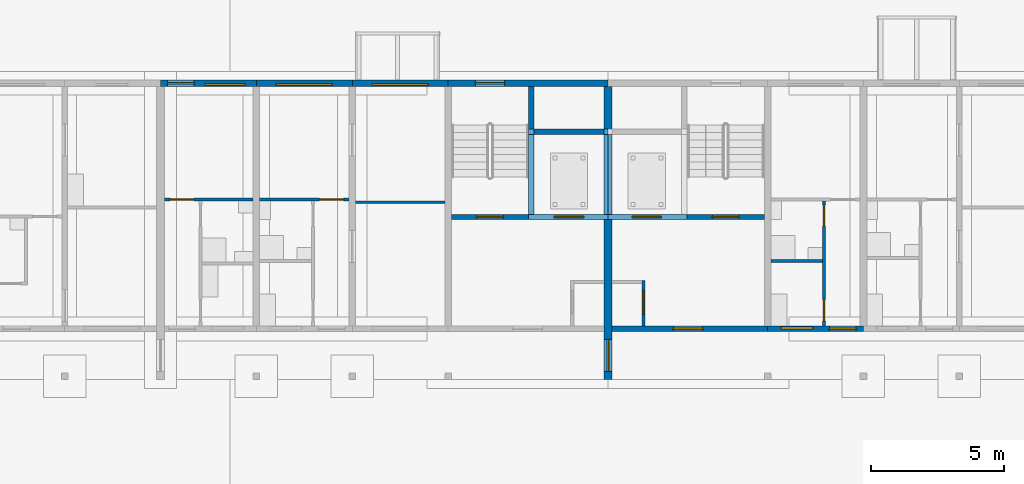
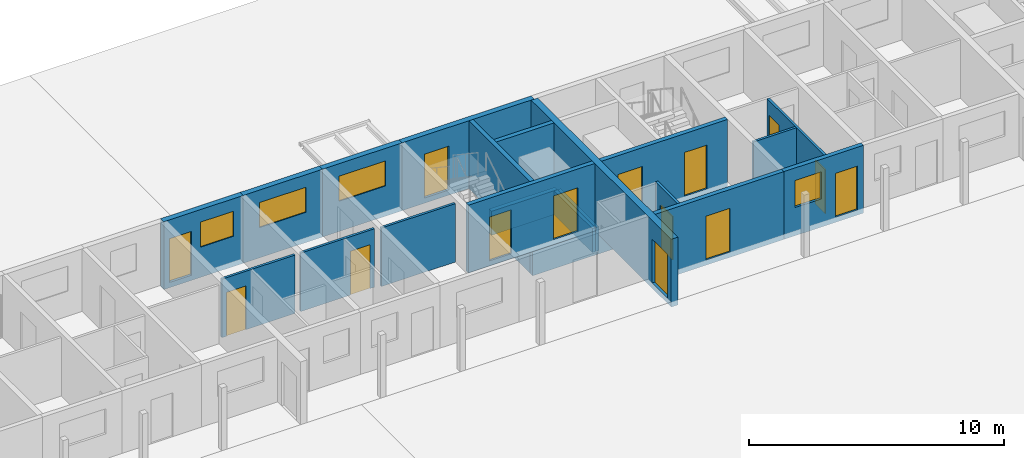
# One storey, part 51 of 112: 23 walls, 14 doors, 4 windows, 18 openings.
"""IFC4 building model written with IfcOpenShell, lengths in metres."""

from ifc_helpers import new_model, si_unit, direction, frame, frame_2d, origin, place, context, subcontext, project, spatial, rectangle, extrude, material, layer, layer_set, type_object, element, fill, save


model = new_model("IFC4")

# Units and contexts
model_context = context("Model", 3, precision=1e-05, world=origin(), true_north=direction((0.0, 1.0)))
body_context = subcontext(model_context, "Body", "Model", "MODEL_VIEW")
ifc_project = project(units=[si_unit("LENGTHUNIT", "METRE"), si_unit("AREAUNIT", "SQUARE_METRE"), si_unit("VOLUMEUNIT", "CUBIC_METRE"), si_unit("PLANEANGLEUNIT", "RADIAN"), si_unit("MASSUNIT", "GRAM", prefix="KILO")], contexts=[model_context])

# Site, building, storey
site_placement = place(None, origin())
site = spatial("IfcSite", under=ifc_project, at=site_placement, CompositionType="ELEMENT")
building_placement = place(site_placement, origin())
building = spatial("IfcBuilding", under=site, at=building_placement, Name="Ridgestep Commons", CompositionType="ELEMENT")
storey_placement = place(building_placement, origin())
storey = spatial("IfcBuildingStorey", under=building, at=storey_placement, Name="L00", CompositionType="ELEMENT", Elevation=0.0)

# Wall, opening, door
ifc_material_1 = material(Name="Concrete C30/37", Category="concrete")
ifc_layer_1 = layer(ifc_material_1, 0.199951171875)
ifc_layer_set_1 = layer_set([ifc_layer_1], Name="Core south wall 200")
wall_type_1 = type_object("IfcWallType", Name="Core south wall 200", PredefinedType="SHEAR", material=ifc_layer_set_1)
wall_1_placement = place(storey_placement, frame((79.35009765625, 67.89990234375, -0.25), z_axis=(0.0, 0.0, 1.0), x_axis=(1.0, 0.0, 0.0)))
wall_1 = element("IfcWall", 1, at=wall_1_placement, inside=storey, type_object=wall_type_1, Name="Core south wall B5C L00", PredefinedType="SHEAR", context=body_context, shape_type="SweptSolid", body=[
    extrude(rectangle(XDim=5.849853515625, YDim=0.199951171875, at=frame_2d((2.9248046875, 0.0))), origin(), (0.0, 0.0, 1.0), 3.25),
])
opening_1_placement = place(wall_1_placement, frame((2.3125, 0.0, 0.25)))
opening_1 = element("IfcOpeningElement", 2, at=opening_1_placement, cuts=wall_1, Name="Opening B5C/00/1", PredefinedType="OPENING", context=body_context, shape_type="SweptSolid", body=[
    extrude(rectangle(XDim=1.10009765625, YDim=2.10009765625, at=frame_2d((0.550048828125, 1.050048828125))), frame((0.0, 0.10986328125, 0.0), z_axis=(0.0, -1.0, 0.0), x_axis=(1.0, 0.0, 0.0)), (0.0, 0.0, 1.0), 0.219970703125),
])
ifc_material_2 = material(Name="Steel fire door", Category="steel")
door_type_1 = type_object("IfcDoorType", Name="Lobby door 1100 x 2100 FD60", OperationType="NOTDEFINED", PredefinedType="DOOR", material=ifc_material_2)
door_1_placement = place(opening_1_placement, origin())
door_1 = element("IfcDoor", 3, at=door_1_placement, inside=storey, type_object=door_type_1, Name="Lobby door B5C/00/1", OperationType="SINGLE_SWING_LEFT", OverallHeight=2.10009765625, OverallWidth=1.10009765625, PredefinedType="DOOR", context=body_context, shape_type="SweptSolid", body=[
    extrude(rectangle(XDim=1.10009765625, YDim=2.10009765625, at=frame_2d((0.550048828125, 1.050048828125))), frame((0.0, 0.02490234375, 0.0), z_axis=(0.0, -1.0, 0.0), x_axis=(1.0, 0.0, 0.0)), (0.0, 0.0, 1.0), 0.050048828125),
])
fill(opening_1, door_1)

ifc_material_3 = material(Name="Concrete C30/37", Category="concrete")
ifc_layer_2 = layer(ifc_material_3, 0.1201171875)
ifc_layer_set_2 = layer_set([ifc_layer_2], Name="Core wall 120")
wall_type_2 = type_object("IfcWallType", Name="Core wall 120", PredefinedType="SHEAR", material=ifc_layer_set_2)
wall_2_placement = place(storey_placement, frame((80.5400390625, 68.0, -0.25), z_axis=(0.0, 0.0, 1.0), x_axis=(0.0, 1.0, 0.0)))
wall_2 = element("IfcWall", 4, at=wall_2_placement, inside=storey, type_object=wall_type_2, Name="Core riser w wall B5C L00", PredefinedType="SHEAR", context=body_context, shape_type="SweptSolid", body=[
    extrude(rectangle(XDim=1.719970703125, YDim=0.1201171875, at=frame_2d((0.85986328125, 0.0))), origin(), (0.0, 0.0, 1.0), 3.25),
])
opening_2_placement = place(wall_2_placement, frame((0.449951171875, 0.0, 0.25)))
opening_2 = element("IfcOpeningElement", 5, at=opening_2_placement, cuts=wall_2, Name="Opening B5C/00/4", PredefinedType="OPENING", context=body_context, shape_type="SweptSolid", body=[
    extrude(rectangle(XDim=0.89990234375, YDim=2.10009765625, at=frame_2d((0.449951171875, 1.050048828125))), frame((0.0, 0.070068359375, 0.0), z_axis=(0.0, -1.0, 0.0), x_axis=(1.0, 0.0, 0.0)), (0.0, 0.0, 1.0), 0.14013671875),
])
ifc_material_4 = material(Name="Steel fire door", Category="steel")
door_type_2 = type_object("IfcDoorType", Name="Riser door 900 x 2100 FD60", OperationType="NOTDEFINED", PredefinedType="DOOR", material=ifc_material_4)
door_2_placement = place(opening_2_placement, origin())
door_2 = element("IfcDoor", 6, at=door_2_placement, inside=storey, type_object=door_type_2, Name="Riser door B5C/00/4", OperationType="SINGLE_SWING_RIGHT", OverallHeight=2.10009765625, OverallWidth=0.89990234375, PredefinedType="DOOR", context=body_context, shape_type="SweptSolid", body=[
    extrude(rectangle(XDim=0.89990234375, YDim=2.10009765625, at=frame_2d((0.449951171875, 1.050048828125))), frame((0.0, 0.02490234375, 0.0), z_axis=(0.0, -1.0, 0.0), x_axis=(1.0, 0.0, 0.0)), (0.0, 0.0, 1.0), 0.050048828125),
])
fill(opening_2, door_2)

# Walls
ifc_material_5 = material(Name="Concrete C30/37", Category="concrete")
ifc_layer_3 = layer(ifc_material_5, 0.14990234375)
ifc_layer_set_3 = layer_set([ifc_layer_3], Name="Core wall 150")
wall_type_3 = type_object("IfcWallType", Name="Core wall 150", PredefinedType="SHEAR", material=ifc_layer_set_3)
for number, where, z_axis, x_axis, name in (
    (7, (79.125, 72.199951171875, -1.39990234375), (0.0, 0.0, 1.0), (0.0, 1.0, 0.0), "Lift pit wall B4C"),
    (8, (79.27490234375, 72.199951171875, -1.39990234375), (0.0, 0.0, 1.0), (0.0, 1.0, 0.0), "Lift pit wall B5C"),
):
    element("IfcWall", number, at=place(storey_placement, frame(where, z_axis=z_axis, x_axis=x_axis)), inside=storey, type_object=wall_type_3, Name=name, PredefinedType="SHEAR", context=body_context, shape_type="SweptSolid", body=[
        extrude(rectangle(XDim=3.0, YDim=0.14990234375, at=frame_2d((1.5, 0.0))), origin(), (0.0, 0.0, 1.0), 1.14990234375),
    ])

# Wall, openings, doors
ifc_material_6 = material(Name="Concrete C30/37", Category="concrete")
ifc_layer_4 = layer(ifc_material_6, 0.199951171875)
ifc_layer_set_4 = layer_set([ifc_layer_4], Name="Core wall 200")
wall_type_4 = type_object("IfcWallType", Name="Core wall 200", PredefinedType="SHEAR", material=ifc_layer_set_4)
wall_3_placement = place(storey_placement, frame((73.324951171875, 72.10009765625, -0.25), z_axis=(0.0, 0.0, 1.0), x_axis=(1.0, 0.0, 0.0)))
wall_3 = element("IfcWall", 9, at=wall_3_placement, inside=storey, type_object=wall_type_4, Name="Core lobby wall B4C L00", PredefinedType="SHEAR", context=body_context, shape_type="SweptSolid", body=[
    extrude(rectangle(XDim=5.72509765625, YDim=0.199951171875, at=frame_2d((2.862548828125, 0.0))), origin(), (0.0, 0.0, 1.0), 3.25),
])
opening_3_placement = place(wall_3_placement, frame((0.949951171875, 0.0, 0.25)))
opening_3 = element("IfcOpeningElement", 10, at=opening_3_placement, cuts=wall_3, Name="Opening B4C/00/2", PredefinedType="OPENING", context=body_context, shape_type="SweptSolid", body=[
    extrude(rectangle(XDim=1.0, YDim=2.10009765625, at=frame_2d((0.5, 1.050048828125))), frame((0.0, 0.10986328125, 0.0), z_axis=(0.0, -1.0, 0.0), x_axis=(1.0, 0.0, 0.0)), (0.0, 0.0, 1.0), 0.219970703125),
])
opening_4_placement = place(wall_3_placement, frame((3.862548828125, 0.0, 0.25)))
opening_4 = element("IfcOpeningElement", 11, at=opening_4_placement, cuts=wall_3, Name="Opening B4C/00/3", PredefinedType="OPENING", context=body_context, shape_type="SweptSolid", body=[
    extrude(rectangle(XDim=1.10009765625, YDim=2.10009765625, at=frame_2d((0.550048828125, 1.050048828125))), frame((0.0, 0.10986328125, 0.0), z_axis=(0.0, -1.0, 0.0), x_axis=(1.0, 0.0, 0.0)), (0.0, 0.0, 1.0), 0.219970703125),
])
ifc_material_7 = material(Name="Stainless steel", Category="steel")
door_type_3 = type_object("IfcDoorType", Name="Lift landing door 1100 x 2100 FD60", OperationType="DOUBLE_DOOR_SLIDING", PredefinedType="DOOR", material=ifc_material_7)
door_3_placement = place(opening_4_placement, origin())
door_3 = element("IfcDoor", 12, at=door_3_placement, inside=storey, type_object=door_type_3, Name="Landing door LD B4C L00", OperationType="DOUBLE_DOOR_SLIDING", OverallHeight=2.10009765625, OverallWidth=1.10009765625, PredefinedType="DOOR", context=body_context, shape_type="SweptSolid", body=[
    extrude(rectangle(XDim=1.10009765625, YDim=2.10009765625, at=frame_2d((0.550048828125, 1.050048828125))), frame((0.0, 0.02490234375, 0.0), z_axis=(0.0, -1.0, 0.0), x_axis=(1.0, 0.0, 0.0)), (0.0, 0.0, 1.0), 0.050048828125),
])
fill(opening_4, door_3)
ifc_material_8 = material(Name="Steel fire door", Category="steel")
door_type_4 = type_object("IfcDoorType", Name="Stair door 1000 x 2100 FD60", OperationType="NOTDEFINED", PredefinedType="DOOR", material=ifc_material_8)
door_4_placement = place(opening_3_placement, origin())
door_4 = element("IfcDoor", 13, at=door_4_placement, inside=storey, type_object=door_type_4, Name="Stair door B4C/00/2", OperationType="SINGLE_SWING_RIGHT", OverallHeight=2.10009765625, OverallWidth=1.0, PredefinedType="DOOR", context=body_context, shape_type="SweptSolid", body=[
    extrude(rectangle(XDim=1.0, YDim=2.10009765625, at=frame_2d((0.5, 1.050048828125))), frame((0.0, 0.02490234375, 0.0), z_axis=(0.0, -1.0, 0.0), x_axis=(1.0, 0.0, 0.0)), (0.0, 0.0, 1.0), 0.050048828125),
])
fill(opening_3, door_4)

# Walls
wall_4_placement = place(storey_placement, frame((76.324951171875, 72.199951171875, -0.25), z_axis=(0.0, 0.0, 1.0), x_axis=(0.0, 1.0, 0.0)))
element("IfcWall", 14, at=wall_4_placement, inside=storey, type_object=wall_type_4, Name="Core stair wall B4C L00", PredefinedType="SHEAR", context=body_context, shape_type="SweptSolid", body=[
    extrude(rectangle(XDim=4.800048828125, YDim=0.199951171875, at=frame_2d((2.39990234375, 0.0))), origin(), (0.0, 0.0, 1.0), 3.25),
])
wall_5_placement = place(storey_placement, frame((76.425048828125, 75.300048828125, -0.25), z_axis=(0.0, 0.0, 1.0), x_axis=(1.0, 0.0, 0.0)))
element("IfcWall", 15, at=wall_5_placement, inside=storey, type_object=wall_type_4, Name="Core duct wall B4C L00", PredefinedType="SHEAR", context=body_context, shape_type="SweptSolid", body=[
    extrude(rectangle(XDim=2.625, YDim=0.199951171875, at=frame_2d((1.3125, 0.0))), origin(), (0.0, 0.0, 1.0), 3.25),
])

# Wall, openings, doors
wall_6_placement = place(storey_placement, frame((79.35009765625, 72.10009765625, -0.25), z_axis=(0.0, 0.0, 1.0), x_axis=(1.0, 0.0, 0.0)))
wall_6 = element("IfcWall", 16, at=wall_6_placement, inside=storey, type_object=wall_type_4, Name="Core lobby wall B5C L00", PredefinedType="SHEAR", context=body_context, shape_type="SweptSolid", body=[
    extrude(rectangle(XDim=5.724853515625, YDim=0.199951171875, at=frame_2d((2.8623046875, 0.0))), origin(), (0.0, 0.0, 1.0), 3.25),
])
opening_5_placement = place(wall_6_placement, frame((3.77490234375, 0.0, 0.25)))
opening_5 = element("IfcOpeningElement", 17, at=opening_5_placement, cuts=wall_6, Name="Opening B5C/00/2", PredefinedType="OPENING", context=body_context, shape_type="SweptSolid", body=[
    extrude(rectangle(XDim=1.0, YDim=2.10009765625, at=frame_2d((0.5, 1.050048828125))), frame((0.0, 0.10986328125, 0.0), z_axis=(0.0, -1.0, 0.0), x_axis=(1.0, 0.0, 0.0)), (0.0, 0.0, 1.0), 0.219970703125),
])
opening_6_placement = place(wall_6_placement, frame((0.762451171875, 0.0, 0.25)))
opening_6 = element("IfcOpeningElement", 18, at=opening_6_placement, cuts=wall_6, Name="Opening B5C/00/3", PredefinedType="OPENING", context=body_context, shape_type="SweptSolid", body=[
    extrude(rectangle(XDim=1.10009765625, YDim=2.10009765625, at=frame_2d((0.550048828125, 1.050048828125))), frame((0.0, 0.10986328125, 0.0), z_axis=(0.0, -1.0, 0.0), x_axis=(1.0, 0.0, 0.0)), (0.0, 0.0, 1.0), 0.219970703125),
])
door_5_placement = place(opening_6_placement, origin())
door_5 = element("IfcDoor", 19, at=door_5_placement, inside=storey, type_object=door_type_3, Name="Landing door LD B5C L00", OperationType="DOUBLE_DOOR_SLIDING", OverallHeight=2.10009765625, OverallWidth=1.10009765625, PredefinedType="DOOR", context=body_context, shape_type="SweptSolid", body=[
    extrude(rectangle(XDim=1.10009765625, YDim=2.10009765625, at=frame_2d((0.550048828125, 1.050048828125))), frame((0.0, 0.02490234375, 0.0), z_axis=(0.0, -1.0, 0.0), x_axis=(1.0, 0.0, 0.0)), (0.0, 0.0, 1.0), 0.050048828125),
])
fill(opening_6, door_5)
door_6_placement = place(opening_5_placement, origin())
door_6 = element("IfcDoor", 20, at=door_6_placement, inside=storey, type_object=door_type_4, Name="Stair door B5C/00/2", OperationType="SINGLE_SWING_RIGHT", OverallHeight=2.10009765625, OverallWidth=1.0, PredefinedType="DOOR", context=body_context, shape_type="SweptSolid", body=[
    extrude(rectangle(XDim=1.0, YDim=2.10009765625, at=frame_2d((0.5, 1.050048828125))), frame((0.0, 0.02490234375, 0.0), z_axis=(0.0, -1.0, 0.0), x_axis=(1.0, 0.0, 0.0)), (0.0, 0.0, 1.0), 0.050048828125),
])
fill(opening_5, door_6)

# Walls
for number, where, z_axis, x_axis, name in (
    (21, (76.22509765625, 72.10009765625, -1.39990234375), (0.0, 0.0, 1.0), (1.0, 0.0, 0.0), "Lift pit wall B4C"),
    (22, (76.22509765625, 75.300048828125, -1.39990234375), (0.0, 0.0, 1.0), (1.0, 0.0, 0.0), "Lift pit wall B4C"),
):
    element("IfcWall", number, at=place(storey_placement, frame(where, z_axis=z_axis, x_axis=x_axis)), inside=storey, type_object=wall_type_4, Name=name, PredefinedType="SHEAR", context=body_context, shape_type="SweptSolid", body=[
        extrude(rectangle(XDim=2.974853515625, YDim=0.199951171875, at=frame_2d((1.4873046875, 0.0))), origin(), (0.0, 0.0, 1.0), 1.14990234375),
    ])
wall_7_placement = place(storey_placement, frame((76.324951171875, 72.199951171875, -1.39990234375), z_axis=(0.0, 0.0, 1.0), x_axis=(0.0, 1.0, 0.0)))
element("IfcWall", 23, at=wall_7_placement, inside=storey, type_object=wall_type_4, Name="Lift pit wall B4C", PredefinedType="SHEAR", context=body_context, shape_type="SweptSolid", body=[
    extrude(rectangle(XDim=3.0, YDim=0.199951171875, at=frame_2d((1.5, 0.0))), origin(), (0.0, 0.0, 1.0), 1.14990234375),
])
wall_8_placement = place(storey_placement, frame((79.199951171875, 72.10009765625, -1.39990234375), z_axis=(0.0, 0.0, 1.0), x_axis=(1.0, 0.0, 0.0)))
element("IfcWall", 24, at=wall_8_placement, inside=storey, type_object=wall_type_4, Name="Lift pit wall B5C", PredefinedType="SHEAR", context=body_context, shape_type="SweptSolid", body=[
    extrude(rectangle(XDim=2.97509765625, YDim=0.199951171875, at=frame_2d((1.487548828125, 0.0))), origin(), (0.0, 0.0, 1.0), 1.14990234375),
])

# Wall, opening, door
ifc_material_9 = material(Name="Precast concrete C40/50", Category="concrete")
ifc_layer_5 = layer(ifc_material_9, 0.300048828125)
ifc_layer_set_5 = layer_set([ifc_layer_5], Name="Division wall 300")
wall_type_5 = type_object("IfcWallType", Name="Division wall 300", PredefinedType="SHEAR", material=ifc_layer_set_5)
wall_9_placement = place(storey_placement, frame((79.199951171875, 66.0, -0.25), z_axis=(0.0, 0.0, 1.0), x_axis=(0.0, 1.0, 0.0)))
wall_9 = element("IfcWall", 25, at=wall_9_placement, inside=storey, type_object=wall_type_5, Name="Cross wall B-00-0792", PredefinedType="SHEAR", context=body_context, shape_type="SweptSolid", body=[
    extrude(rectangle(XDim=11.0, YDim=0.300048828125, at=frame_2d((5.5, 0.0))), origin(), (0.0, 0.0, 1.0), 3.25),
])
opening_7_placement = place(wall_9_placement, frame((0.300048828125, 0.0, 0.25)))
opening_7 = element("IfcOpeningElement", 26, at=opening_7_placement, cuts=wall_9, Name="Opening B/00/G0792", PredefinedType="OPENING", context=body_context, shape_type="SweptSolid", body=[
    extrude(rectangle(XDim=1.199951171875, YDim=2.10009765625, at=frame_2d((0.60009765625, 1.050048828125))), frame((0.0, 0.159912109375, 0.0), z_axis=(0.0, -1.0, 0.0), x_axis=(1.0, 0.0, 0.0)), (0.0, 0.0, 1.0), 0.320068359375),
])
ifc_material_10 = material(Name="Steel fire door", Category="steel")
door_type_5 = type_object("IfcDoorType", Name="Division fire door 1200 x 2100 EI 240", OperationType="DOUBLE_DOOR_SINGLE_SWING", PredefinedType="DOOR", material=ifc_material_10)
door_7_placement = place(opening_7_placement, origin())
door_7 = element("IfcDoor", 27, at=door_7_placement, inside=storey, type_object=door_type_5, Name="Division fire door B/00/G0792", OperationType="DOUBLE_DOOR_SINGLE_SWING", OverallHeight=2.10009765625, OverallWidth=1.199951171875, PredefinedType="DOOR", context=body_context, shape_type="SweptSolid", body=[
    extrude(rectangle(XDim=1.199951171875, YDim=2.10009765625, at=frame_2d((0.60009765625, 1.050048828125))), frame((0.0, 0.02490234375, 0.0), z_axis=(0.0, -1.0, 0.0), x_axis=(1.0, 0.0, 0.0)), (0.0, 0.0, 1.0), 0.050048828125),
])
fill(opening_7, door_7)

# Wall, openings, door, window
ifc_material_11 = material(Name="Precast concrete C40/50", Category="concrete")
ifc_layer_6 = layer(ifc_material_11, 0.25)
ifc_layer_set_6 = layer_set([ifc_layer_6], Name="North facade panel 250")
wall_type_6 = type_object("IfcWallType", Name="North facade panel 250", PredefinedType="SOLIDWALL", material=ifc_layer_set_6)
wall_10_placement = place(storey_placement, frame((62.39990234375, 77.125, -0.25), z_axis=(0.0, 0.0, 1.0), x_axis=(1.0, 0.0, 0.0)))
wall_10 = element("IfcWall", 28, at=wall_10_placement, inside=storey, type_object=wall_type_6, Name="North panel B4T1 L00", PredefinedType="SOLIDWALL", context=body_context, shape_type="SweptSolid", body=[
    extrude(rectangle(XDim=3.60009765625, YDim=0.25, at=frame_2d((1.800048828125, 0.0))), origin(), (0.0, 0.0, 1.0), 3.25),
])
opening_8_placement = place(wall_10_placement, frame((1.6689453125, 0.0, 1.449951171875)))
opening_8 = element("IfcOpeningElement", 29, at=opening_8_placement, cuts=wall_10, Name="Opening W13", PredefinedType="OPENING", context=body_context, shape_type="SweptSolid", body=[
    extrude(rectangle(XDim=1.5, YDim=1.199951171875, at=frame_2d((0.75, 0.60009765625))), frame((0.0, 0.135009765625, 0.0), z_axis=(0.0, -1.0, 0.0), x_axis=(1.0, 0.0, 0.0)), (0.0, 0.0, 1.0), 0.27001953125),
])
opening_9_placement = place(wall_10_placement, frame((0.262939453125, 0.0, 0.25)))
opening_9 = element("IfcOpeningElement", 30, at=opening_9_placement, cuts=wall_10, Name="Opening B4-00a/5", PredefinedType="OPENING", context=body_context, shape_type="SweptSolid", body=[
    extrude(rectangle(XDim=1.0, YDim=2.10009765625, at=frame_2d((0.5, 1.050048828125))), frame((0.0, 0.135009765625, 0.0), z_axis=(0.0, -1.0, 0.0), x_axis=(1.0, 0.0, 0.0)), (0.0, 0.0, 1.0), 0.27001953125),
])
ifc_material_12 = material(Name="Aluminium and glass", Category="aluminium")
door_type_6 = type_object("IfcDoorType", Name="Balcony door 1000 x 2100", OperationType="NOTDEFINED", PredefinedType="DOOR", material=ifc_material_12)
door_8_placement = place(opening_9_placement, origin())
door_8 = element("IfcDoor", 31, at=door_8_placement, inside=storey, type_object=door_type_6, Name="Balcony door B4-00a/5", OperationType="SINGLE_SWING_RIGHT", OverallHeight=2.10009765625, OverallWidth=1.0, PredefinedType="DOOR", context=body_context, shape_type="SweptSolid", body=[
    extrude(rectangle(XDim=1.0, YDim=2.10009765625, at=frame_2d((0.5, 1.050048828125))), frame((0.0, 0.02490234375, 0.0), z_axis=(0.0, -1.0, 0.0), x_axis=(1.0, 0.0, 0.0)), (0.0, 0.0, 1.0), 0.050048828125),
])
fill(opening_9, door_8)
ifc_material_13 = material(Name="Aluminium 6063-T6 and glass", Category="aluminium")
window_type_1 = type_object("IfcWindowType", Name="Flat window 1500 x 1200", PartitioningType="DOUBLE_PANEL_VERTICAL", PredefinedType="WINDOW", material=ifc_material_13)
window_1_placement = place(opening_8_placement, origin())
window_1 = element("IfcWindow", 32, at=window_1_placement, inside=storey, type_object=window_type_1, Name="Window B4-00a 2", OverallHeight=1.199951171875, OverallWidth=1.5, PartitioningType="SINGLE_PANEL", PredefinedType="WINDOW", context=body_context, shape_type="SweptSolid", body=[
    extrude(rectangle(XDim=1.5, YDim=1.199951171875, at=frame_2d((0.75, 0.60009765625))), frame((0.0, -0.02490234375, 0.0), z_axis=(0.0, -1.0, 0.0), x_axis=(1.0, 0.0, 0.0)), (0.0, 0.0, 1.0), 0.06005859375),
])
fill(opening_8, window_1)

# Wall, opening, window
wall_11_placement = place(storey_placement, frame((66.0, 77.125, -0.25), z_axis=(0.0, 0.0, 1.0), x_axis=(1.0, 0.0, 0.0)))
wall_11 = element("IfcWall", 33, at=wall_11_placement, inside=storey, type_object=wall_type_6, Name="North panel B4T2 L00", PredefinedType="SOLIDWALL", context=body_context, shape_type="SweptSolid", body=[
    extrude(rectangle(XDim=3.60009765625, YDim=0.25, at=frame_2d((1.800048828125, 0.0))), origin(), (0.0, 0.0, 1.0), 3.25),
])
opening_10_placement = place(wall_11_placement, frame((0.75, 0.0, 1.449951171875)))
opening_10 = element("IfcOpeningElement", 34, at=opening_10_placement, cuts=wall_11, Name="Opening W22", PredefinedType="OPENING", context=body_context, shape_type="SweptSolid", body=[
    extrude(rectangle(XDim=2.10009765625, YDim=1.199951171875, at=frame_2d((1.050048828125, 0.60009765625))), frame((0.0, 0.135009765625, 0.0), z_axis=(0.0, -1.0, 0.0), x_axis=(1.0, 0.0, 0.0)), (0.0, 0.0, 1.0), 0.27001953125),
])
ifc_material_14 = material(Name="Aluminium 6063-T6 and glass", Category="aluminium")
window_type_2 = type_object("IfcWindowType", Name="Flat window 2100 x 1200", PartitioningType="DOUBLE_PANEL_VERTICAL", PredefinedType="WINDOW", material=ifc_material_14)
window_2_placement = place(opening_10_placement, origin())
window_2 = element("IfcWindow", 35, at=window_2_placement, inside=storey, type_object=window_type_2, Name="Window B4-00b 4", OverallHeight=1.199951171875, OverallWidth=2.10009765625, PartitioningType="SINGLE_PANEL", PredefinedType="WINDOW", context=body_context, shape_type="SweptSolid", body=[
    extrude(rectangle(XDim=2.10009765625, YDim=1.199951171875, at=frame_2d((1.050048828125, 0.60009765625))), frame((0.0, -0.02490234375, 0.0), z_axis=(0.0, -1.0, 0.0), x_axis=(1.0, 0.0, 0.0)), (0.0, 0.0, 1.0), 0.06005859375),
])
fill(opening_10, window_2)

wall_12_placement = place(storey_placement, frame((69.60009765625, 77.125, -0.25), z_axis=(0.0, 0.0, 1.0), x_axis=(1.0, 0.0, 0.0)))
wall_12 = element("IfcWall", 36, at=wall_12_placement, inside=storey, type_object=wall_type_6, Name="North panel B4T3 L00", PredefinedType="SOLIDWALL", context=body_context, shape_type="SweptSolid", body=[
    extrude(rectangle(XDim=3.599853515625, YDim=0.25, at=frame_2d((1.7998046875, 0.0))), origin(), (0.0, 0.0, 1.0), 3.25),
])
opening_11_placement = place(wall_12_placement, frame((0.75, 0.0, 1.449951171875)))
opening_11 = element("IfcOpeningElement", 37, at=opening_11_placement, cuts=wall_12, Name="Opening W22", PredefinedType="OPENING", context=body_context, shape_type="SweptSolid", body=[
    extrude(rectangle(XDim=2.10009765625, YDim=1.199951171875, at=frame_2d((1.050048828125, 0.60009765625))), frame((0.0, 0.135009765625, 0.0), z_axis=(0.0, -1.0, 0.0), x_axis=(1.0, 0.0, 0.0)), (0.0, 0.0, 1.0), 0.27001953125),
])
window_3_placement = place(opening_11_placement, origin())
window_3 = element("IfcWindow", 38, at=window_3_placement, inside=storey, type_object=window_type_2, Name="Window B4-00b 2", OverallHeight=1.199951171875, OverallWidth=2.10009765625, PartitioningType="SINGLE_PANEL", PredefinedType="WINDOW", context=body_context, shape_type="SweptSolid", body=[
    extrude(rectangle(XDim=2.10009765625, YDim=1.199951171875, at=frame_2d((1.050048828125, 0.60009765625))), frame((0.0, -0.02490234375, 0.0), z_axis=(0.0, -1.0, 0.0), x_axis=(1.0, 0.0, 0.0)), (0.0, 0.0, 1.0), 0.06005859375),
])
fill(opening_11, window_3)

# Wall, opening, door
wall_13_placement = place(storey_placement, frame((73.199951171875, 77.125, -0.25), z_axis=(0.0, 0.0, 1.0), x_axis=(1.0, 0.0, 0.0)))
wall_13 = element("IfcWall", 39, at=wall_13_placement, inside=storey, type_object=wall_type_6, Name="North panel B4C L00", PredefinedType="SOLIDWALL", context=body_context, shape_type="SweptSolid", body=[
    extrude(rectangle(XDim=6.0, YDim=0.25, at=frame_2d((3.0, 0.0))), origin(), (0.0, 0.0, 1.0), 3.25),
])
opening_12_placement = place(wall_13_placement, frame((1.02490234375, 0.0, 0.25)))
opening_12 = element("IfcOpeningElement", 40, at=opening_12_placement, cuts=wall_13, Name="Opening B4C/00/5", PredefinedType="OPENING", context=body_context, shape_type="SweptSolid", body=[
    extrude(rectangle(XDim=1.10009765625, YDim=2.10009765625, at=frame_2d((0.550048828125, 1.050048828125))), frame((0.0, 0.135009765625, 0.0), z_axis=(0.0, -1.0, 0.0), x_axis=(1.0, 0.0, 0.0)), (0.0, 0.0, 1.0), 0.27001953125),
])
ifc_material_15 = material(Name="Steel fire door", Category="steel")
door_type_7 = type_object("IfcDoorType", Name="Stair exit door 1100 x 2100 FD60", OperationType="NOTDEFINED", PredefinedType="DOOR", material=ifc_material_15)
door_9_placement = place(opening_12_placement, origin())
door_9 = element("IfcDoor", 41, at=door_9_placement, inside=storey, type_object=door_type_7, Name="Stair exit door B4C/00/5", OperationType="SINGLE_SWING_LEFT", OverallHeight=2.10009765625, OverallWidth=1.10009765625, PredefinedType="DOOR", context=body_context, shape_type="SweptSolid", body=[
    extrude(rectangle(XDim=1.10009765625, YDim=2.10009765625, at=frame_2d((0.550048828125, 1.050048828125))), frame((0.0, 0.02490234375, 0.0), z_axis=(0.0, -1.0, 0.0), x_axis=(1.0, 0.0, 0.0)), (0.0, 0.0, 1.0), 0.050048828125),
])
fill(opening_12, door_9)

ifc_material_16 = material(Name="Common brick 110 mm", Category="masonry")
ifc_layer_7 = layer(ifc_material_16, 0.110107421875)
ifc_layer_set_7 = layer_set([ifc_layer_7], Name="Partition 110")
wall_type_7 = type_object("IfcWallType", Name="Partition 110", PredefinedType="PARTITIONING", material=ifc_layer_set_7)
wall_14_placement = place(storey_placement, frame((62.550048828125, 72.7548828125, 0.0), z_axis=(0.0, 0.0, 1.0), x_axis=(1.0, 0.0, 0.0)))
wall_14 = element("IfcWall", 42, at=wall_14_placement, inside=storey, type_object=wall_type_7, Name="Partition B4-00a", PredefinedType="PARTITIONING", context=body_context, shape_type="SweptSolid", body=[
    extrude(rectangle(XDim=3.324951171875, YDim=0.110107421875, at=frame_2d((1.66259765625, 0.0))), origin(), (0.0, 0.0, 1.0), 2.800048828125),
])
opening_13_placement = place(wall_14_placement, frame((0.199951171875, 0.0, 0.0)))
opening_13 = element("IfcOpeningElement", 43, at=opening_13_placement, cuts=wall_14, Name="Opening B4-00a/4", PredefinedType="OPENING", context=body_context, shape_type="SweptSolid", body=[
    extrude(rectangle(XDim=0.89990234375, YDim=2.10009765625, at=frame_2d((0.449951171875, 1.050048828125))), frame((0.0, 0.06494140625, 0.0), z_axis=(0.0, -1.0, 0.0), x_axis=(1.0, 0.0, 0.0)), (0.0, 0.0, 1.0), 0.130126953125),
])
ifc_material_17 = material(Name="Timber door leaf", Category="wood")
door_type_8 = type_object("IfcDoorType", Name="Internal door 900 x 2100", OperationType="NOTDEFINED", PredefinedType="DOOR", material=ifc_material_17)
door_10_placement = place(opening_13_placement, origin())
door_10 = element("IfcDoor", 44, at=door_10_placement, inside=storey, type_object=door_type_8, Name="Internal door B4-00a/4", OperationType="SINGLE_SWING_LEFT", OverallHeight=2.10009765625, OverallWidth=0.89990234375, PredefinedType="DOOR", context=body_context, shape_type="SweptSolid", body=[
    extrude(rectangle(XDim=0.89990234375, YDim=2.10009765625, at=frame_2d((0.449951171875, 1.050048828125))), frame((0.0, 0.02490234375, 0.0), z_axis=(0.0, -1.0, 0.0), x_axis=(1.0, 0.0, 0.0)), (0.0, 0.0, 1.0), 0.050048828125),
])
fill(opening_13, door_10)

wall_15_placement = place(storey_placement, frame((66.125, 72.7548828125, 0.0), z_axis=(0.0, 0.0, 1.0), x_axis=(1.0, 0.0, 0.0)))
wall_15 = element("IfcWall", 45, at=wall_15_placement, inside=storey, type_object=wall_type_7, Name="Partition B4-00b", PredefinedType="PARTITIONING", context=body_context, shape_type="SweptSolid", body=[
    extrude(rectangle(XDim=3.35009765625, YDim=0.110107421875, at=frame_2d((1.675048828125, 0.0))), origin(), (0.0, 0.0, 1.0), 2.800048828125),
])
opening_14_placement = place(wall_15_placement, frame((2.25, 0.0, 0.0)))
opening_14 = element("IfcOpeningElement", 46, at=opening_14_placement, cuts=wall_15, Name="Opening B4-00b/4", PredefinedType="OPENING", context=body_context, shape_type="SweptSolid", body=[
    extrude(rectangle(XDim=0.89990234375, YDim=2.10009765625, at=frame_2d((0.449951171875, 1.050048828125))), frame((0.0, 0.06494140625, 0.0), z_axis=(0.0, -1.0, 0.0), x_axis=(1.0, 0.0, 0.0)), (0.0, 0.0, 1.0), 0.130126953125),
])
door_11_placement = place(opening_14_placement, origin())
door_11 = element("IfcDoor", 47, at=door_11_placement, inside=storey, type_object=door_type_8, Name="Internal door B4-00b/4", OperationType="SINGLE_SWING_RIGHT", OverallHeight=2.10009765625, OverallWidth=0.89990234375, PredefinedType="DOOR", context=body_context, shape_type="SweptSolid", body=[
    extrude(rectangle(XDim=0.89990234375, YDim=2.10009765625, at=frame_2d((0.449951171875, 1.050048828125))), frame((0.0, 0.02490234375, 0.0), z_axis=(0.0, -1.0, 0.0), x_axis=(1.0, 0.0, 0.0)), (0.0, 0.0, 1.0), 0.050048828125),
])
fill(opening_14, door_11)

# Walls
wall_16_placement = place(storey_placement, frame((69.72509765625, 72.655029296875, 0.0), z_axis=(0.0, 0.0, 1.0), x_axis=(1.0, 0.0, 0.0)))
element("IfcWall", 48, at=wall_16_placement, inside=storey, type_object=wall_type_7, Name="Partition B4-00b", PredefinedType="PARTITIONING", context=body_context, shape_type="SweptSolid", body=[
    extrude(rectangle(XDim=3.349853515625, YDim=0.110107421875, at=frame_2d((1.6748046875, 0.0))), origin(), (0.0, 0.0, 1.0), 2.800048828125),
])
wall_17_placement = place(storey_placement, frame((85.324951171875, 70.455078125, 0.0), z_axis=(0.0, 0.0, 1.0), x_axis=(1.0, 0.0, 0.0)))
element("IfcWall", 49, at=wall_17_placement, inside=storey, type_object=wall_type_7, Name="Partition B5-00b", PredefinedType="PARTITIONING", context=body_context, shape_type="SweptSolid", body=[
    extrude(rectangle(XDim=1.93994140625, YDim=0.110107421875, at=frame_2d((0.969970703125, 0.0))), origin(), (0.0, 0.0, 1.0), 2.800048828125),
])

# Wall, openings, doors
wall_18_placement = place(storey_placement, frame((87.320068359375, 68.0, 0.0), z_axis=(0.0, 0.0, 1.0), x_axis=(0.0, 1.0, 0.0)))
wall_18 = element("IfcWall", 50, at=wall_18_placement, inside=storey, type_object=wall_type_7, Name="Partition B5-00b", PredefinedType="PARTITIONING", context=body_context, shape_type="SweptSolid", body=[
    extrude(rectangle(XDim=4.699951171875, YDim=0.110107421875, at=frame_2d((2.35009765625, 0.0))), origin(), (0.0, 0.0, 1.0), 2.800048828125),
])
opening_15_placement = place(wall_18_placement, frame((0.199951171875, 0.0, 0.0)))
opening_15 = element("IfcOpeningElement", 51, at=opening_15_placement, cuts=wall_18, Name="Opening B5-00b/2", PredefinedType="OPENING", context=body_context, shape_type="SweptSolid", body=[
    extrude(rectangle(XDim=0.800048828125, YDim=2.10009765625, at=frame_2d((0.39990234375, 1.050048828125))), frame((0.0, 0.06494140625, 0.0), z_axis=(0.0, -1.0, 0.0), x_axis=(1.0, 0.0, 0.0)), (0.0, 0.0, 1.0), 0.130126953125),
])
opening_16_placement = place(wall_18_placement, frame((3.75, 0.0, 0.0)))
opening_16 = element("IfcOpeningElement", 52, at=opening_16_placement, cuts=wall_18, Name="Opening B5-00b/3", PredefinedType="OPENING", context=body_context, shape_type="SweptSolid", body=[
    extrude(rectangle(XDim=0.800048828125, YDim=2.10009765625, at=frame_2d((0.39990234375, 1.050048828125))), frame((0.0, 0.06494140625, 0.0), z_axis=(0.0, -1.0, 0.0), x_axis=(1.0, 0.0, 0.0)), (0.0, 0.0, 1.0), 0.130126953125),
])
ifc_material_18 = material(Name="Timber door leaf", Category="wood")
door_type_9 = type_object("IfcDoorType", Name="Internal door 800 x 2100", OperationType="NOTDEFINED", PredefinedType="DOOR", material=ifc_material_18)
door_12_placement = place(opening_15_placement, origin())
door_12 = element("IfcDoor", 53, at=door_12_placement, inside=storey, type_object=door_type_9, Name="Internal door B5-00b/2", OperationType="SINGLE_SWING_LEFT", OverallHeight=2.10009765625, OverallWidth=0.800048828125, PredefinedType="DOOR", context=body_context, shape_type="SweptSolid", body=[
    extrude(rectangle(XDim=0.800048828125, YDim=2.10009765625, at=frame_2d((0.39990234375, 1.050048828125))), frame((0.0, 0.02490234375, 0.0), z_axis=(0.0, -1.0, 0.0), x_axis=(1.0, 0.0, 0.0)), (0.0, 0.0, 1.0), 0.050048828125),
])
fill(opening_15, door_12)
door_13_placement = place(opening_16_placement, origin())
door_13 = element("IfcDoor", 54, at=door_13_placement, inside=storey, type_object=door_type_9, Name="Internal door B5-00b/3", OperationType="SINGLE_SWING_RIGHT", OverallHeight=2.10009765625, OverallWidth=0.800048828125, PredefinedType="DOOR", context=body_context, shape_type="SweptSolid", body=[
    extrude(rectangle(XDim=0.800048828125, YDim=2.10009765625, at=frame_2d((0.39990234375, 1.050048828125))), frame((0.0, 0.02490234375, 0.0), z_axis=(0.0, -1.0, 0.0), x_axis=(1.0, 0.0, 0.0)), (0.0, 0.0, 1.0), 0.050048828125),
])
fill(opening_16, door_13)

# Wall, openings, door, window
ifc_material_19 = material(Name="Precast concrete C40/50", Category="concrete")
ifc_layer_8 = layer(ifc_material_19, 0.199951171875)
ifc_layer_set_8 = layer_set([ifc_layer_8], Name="South facade panel 200")
wall_type_8 = type_object("IfcWallType", Name="South facade panel 200", PredefinedType="SOLIDWALL", material=ifc_layer_set_8)
wall_19_placement = place(storey_placement, frame((85.199951171875, 67.89990234375, -0.25), z_axis=(0.0, 0.0, 1.0), x_axis=(1.0, 0.0, 0.0)))
wall_19 = element("IfcWall", 55, at=wall_19_placement, inside=storey, type_object=wall_type_8, Name="South panel B5T3 L00", PredefinedType="SOLIDWALL", context=body_context, shape_type="SweptSolid", body=[
    extrude(rectangle(XDim=3.60009765625, YDim=0.199951171875, at=frame_2d((1.800048828125, 0.0))), origin(), (0.0, 0.0, 1.0), 3.25),
])
opening_17_placement = place(wall_19_placement, frame((0.4951171875, 0.0, 1.35009765625)))
opening_17 = element("IfcOpeningElement", 56, at=opening_17_placement, cuts=wall_19, Name="Opening W08", PredefinedType="OPENING", context=body_context, shape_type="SweptSolid", body=[
    extrude(rectangle(XDim=1.199951171875, YDim=1.300048828125, at=frame_2d((0.60009765625, 0.64990234375))), frame((0.0, 0.10986328125, 0.0), z_axis=(0.0, -1.0, 0.0), x_axis=(1.0, 0.0, 0.0)), (0.0, 0.0, 1.0), 0.219970703125),
])
opening_18_placement = place(wall_19_placement, frame((2.324951171875, 0.0, 0.25)))
opening_18 = element("IfcOpeningElement", 57, at=opening_18_placement, cuts=wall_19, Name="Opening B5-00b/1", PredefinedType="OPENING", context=body_context, shape_type="SweptSolid", body=[
    extrude(rectangle(XDim=1.0, YDim=2.10009765625, at=frame_2d((0.5, 1.050048828125))), frame((0.0, 0.10986328125, 0.0), z_axis=(0.0, -1.0, 0.0), x_axis=(1.0, 0.0, 0.0)), (0.0, 0.0, 1.0), 0.219970703125),
])
ifc_material_20 = material(Name="Timber door leaf", Category="wood")
door_type_10 = type_object("IfcDoorType", Name="Flat entrance door 1000 x 2100 FD30S", OperationType="NOTDEFINED", PredefinedType="DOOR", material=ifc_material_20)
door_14_placement = place(opening_18_placement, origin())
door_14 = element("IfcDoor", 58, at=door_14_placement, inside=storey, type_object=door_type_10, Name="Flat entrance door B5-00b/1", OperationType="SINGLE_SWING_RIGHT", OverallHeight=2.10009765625, OverallWidth=1.0, PredefinedType="DOOR", context=body_context, shape_type="SweptSolid", body=[
    extrude(rectangle(XDim=1.0, YDim=2.10009765625, at=frame_2d((0.5, 1.050048828125))), frame((0.0, 0.02490234375, 0.0), z_axis=(0.0, -1.0, 0.0), x_axis=(1.0, 0.0, 0.0)), (0.0, 0.0, 1.0), 0.050048828125),
])
fill(opening_18, door_14)
ifc_material_21 = material(Name="Aluminium 6063-T6 and glass", Category="aluminium")
window_type_3 = type_object("IfcWindowType", Name="Flat window 1200 x 1300", PartitioningType="SINGLE_PANEL", PredefinedType="WINDOW", material=ifc_material_21)
window_4_placement = place(opening_17_placement, origin())
window_4 = element("IfcWindow", 59, at=window_4_placement, inside=storey, type_object=window_type_3, Name="Window B5-00b 1", OverallHeight=1.300048828125, OverallWidth=1.199951171875, PartitioningType="SINGLE_PANEL", PredefinedType="WINDOW", context=body_context, shape_type="SweptSolid", body=[
    extrude(rectangle(XDim=1.199951171875, YDim=1.300048828125, at=frame_2d((0.60009765625, 0.64990234375))), frame((0.0, 0.06005859375, 0.0), z_axis=(0.0, -1.0, 0.0), x_axis=(1.0, 0.0, 0.0)), (0.0, 0.0, 1.0), 0.06005859375),
])
fill(opening_17, window_4)

save(model, "model.ifc")
